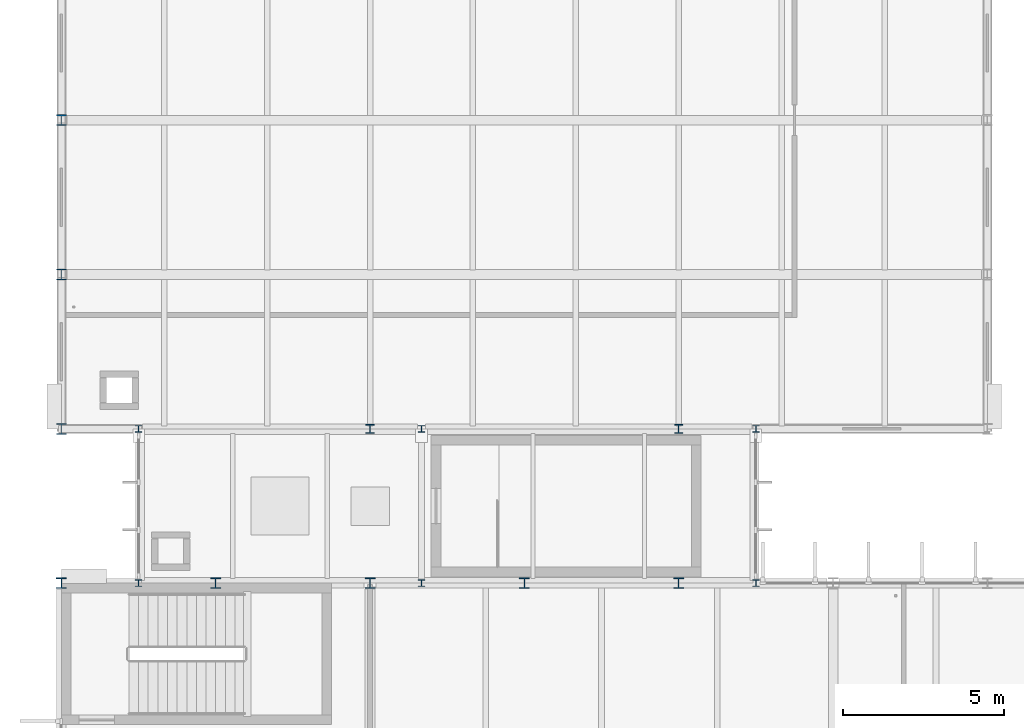
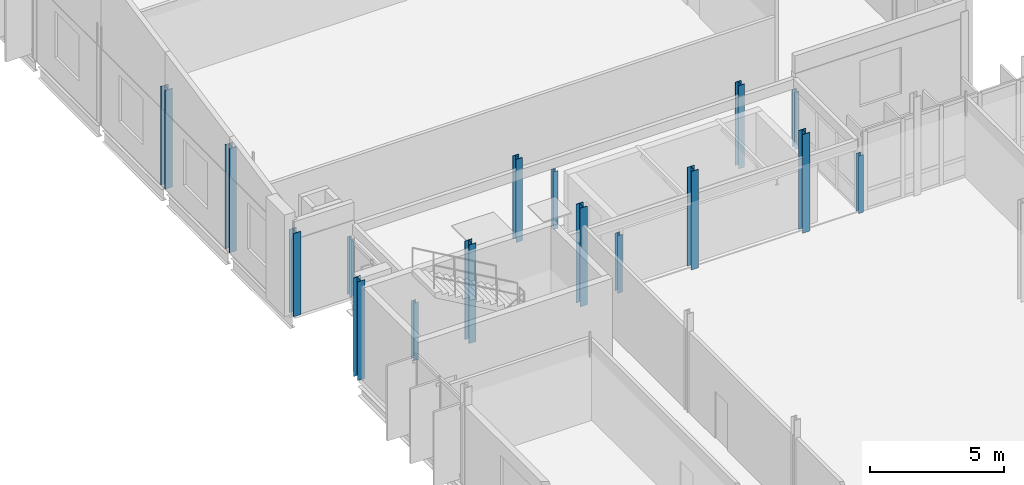
# One storey, part 3 of 93: 16 columns.
"""IFC4 building model written with IfcOpenShell, lengths in metres."""

from ifc_helpers import new_model, si_unit, direction, frame, origin, origin_2d, place, context, subcontext, project, spatial, i_section, extrude, material, material_profile, profile_set, type_object, element, save


model = new_model("IFC4")

# Units and contexts
model_context = context("Model", 3, precision=1e-05, world=origin(), true_north=direction((0.0, 1.0)))
body_context = subcontext(model_context, "Body", "Model", "MODEL_VIEW")
ifc_project = project(units=[si_unit("LENGTHUNIT", "METRE"), si_unit("AREAUNIT", "SQUARE_METRE"), si_unit("VOLUMEUNIT", "CUBIC_METRE"), si_unit("PLANEANGLEUNIT", "RADIAN"), si_unit("MASSUNIT", "GRAM", prefix="KILO")], contexts=[model_context])

# Site, building, storey
site_placement = place(None, origin())
site = spatial("IfcSite", under=ifc_project, at=site_placement, CompositionType="ELEMENT")
building_placement = place(site_placement, origin())
building = spatial("IfcBuilding", under=site, at=building_placement, Name="Dunescarp Central Library", CompositionType="ELEMENT")
storey_placement = place(building_placement, frame((0.0, 0.0, 14.10009765625)))
storey = spatial("IfcBuildingStorey", under=building, at=storey_placement, Name="L03", CompositionType="ELEMENT", Elevation=14.10009765625)

# Columns
ifc_material = material(Name="Steel S355JR", Category="steel")
ifc_material_profile_1 = material_profile(ifc_material, i_section(OverallWidth=0.20361328125, OverallDepth=0.203125, WebThickness=0.007080078125, FlangeThickness=0.010986328125, at=origin_2d()), Name="UC 203x203x46")
ifc_profile_set_1 = profile_set([ifc_material_profile_1], Name="Steel S355JR")
column_type_1 = type_object("IfcColumnType", Name="STR-COL-UC203X46", PredefinedType="COLUMN", material=ifc_profile_set_1)
for number, where, z_axis, x_axis, name in (
    (1, (2.39990234375, 36.800048828125, 0.0), (0.0, 0.0, 1.0), (1.0, 0.0, 0.0), "L03 column GL4-24-368"),
    (2, (2.39990234375, 41.60009765625, 0.0), (0.0, 0.0, 1.0), (1.0, 0.0, 0.0), "L03 column GL4-24-416"),
    (3, (11.199951171875, 36.800048828125, 0.0), (0.0, 0.0, 1.0), (1.0, 0.0, 0.0), "L03 column GL4-112-368"),
    (4, (11.199951171875, 41.60009765625, 0.0), (0.0, 0.0, 1.0), (1.0, 0.0, 0.0), "L03 column GL4-112-416"),
    (5, (21.60009765625, 36.800048828125, 0.0), (0.0, 0.0, 1.0), (1.0, 0.0, 0.0), "L03 column GL4-216-368"),
    (6, (21.60009765625, 41.60009765625, 0.0), (0.0, 0.0, 1.0), (1.0, 0.0, 0.0), "L03 column GL4-216-416"),
):
    element("IfcColumn", number, at=place(storey_placement, frame(where, z_axis=z_axis, x_axis=x_axis)), inside=storey, type_object=column_type_1, Name=name, PredefinedType="COLUMN", context=body_context, shape_type="SweptSolid", body=[
        extrude(i_section(OverallWidth=0.20361328125, OverallDepth=0.203125, WebThickness=0.007080078125, FlangeThickness=0.010986328125, at=origin_2d()), origin(), (0.0, 0.0, 1.0), 2.6298828125),
    ])
ifc_material_profile_2 = material_profile(ifc_material, i_section(OverallWidth=0.26123046875, OverallDepth=0.2763671875, WebThickness=0.015380859375, FlangeThickness=0.025390625, at=origin_2d()), Name="UC 254x254x132")
ifc_profile_set_2 = profile_set([ifc_material_profile_2], Name="Steel S355JR")
column_type_2 = type_object("IfcColumnType", Name="STR-COL-UC254X132", PredefinedType="COLUMN", material=ifc_profile_set_2)
for number, where, z_axis, x_axis, name in (
    (7, (9.60009765625, 41.60009765625, 0.0), (0.0, 0.0, 1.0), (1.0, 0.0, 0.0), "L03 column V4B-96-416"),
    (8, (19.199951171875, 41.60009765625, 0.0), (0.0, 0.0, 1.0), (1.0, 0.0, 0.0), "L03 column V4B-192-416"),
):
    element("IfcColumn", number, at=place(storey_placement, frame(where, z_axis=z_axis, x_axis=x_axis)), inside=storey, type_object=column_type_2, Name=name, PredefinedType="COLUMN", context=body_context, shape_type="SweptSolid", body=[
        extrude(i_section(OverallWidth=0.26123046875, OverallDepth=0.2763671875, WebThickness=0.015380859375, FlangeThickness=0.025390625, at=origin_2d()), origin(), (0.0, 0.0, 1.0), 3.7958984375),
    ])
ifc_material_profile_3 = material_profile(ifc_material, i_section(OverallWidth=0.311279296875, OverallDepth=0.3271484375, WebThickness=0.015869140625, FlangeThickness=0.02490234375, at=origin_2d()), Name="UC 305x305x158")
ifc_profile_set_3 = profile_set([ifc_material_profile_3], Name="Steel S355JR")
column_type_3 = type_object("IfcColumnType", Name="STR-COL-UC305X158", PredefinedType="COLUMN", material=ifc_profile_set_3)
for number, where, z_axis, x_axis, name in (
    (9, (0.0, 36.800048828125, 0.0), (0.0, 0.0, 1.0), (1.0, 0.0, 0.0), "L03 column V1P-0-368"),
    (10, (4.800048828125, 36.800048828125, 0.0), (0.0, 0.0, 1.0), (1.0, 0.0, 0.0), "L03 column V1P-48-368"),
    (11, (9.60009765625, 36.800048828125, 0.0), (0.0, 0.0, 1.0), (1.0, 0.0, 0.0), "L03 column V1P-96-368"),
    (12, (14.39990234375, 36.800048828125, 0.0), (0.0, 0.0, 1.0), (1.0, 0.0, 0.0), "L03 column V1P-144-368"),
    (13, (19.199951171875, 36.800048828125, 0.0), (0.0, 0.0, 1.0), (1.0, 0.0, 0.0), "L03 column V1P-192-368"),
):
    element("IfcColumn", number, at=place(storey_placement, frame(where, z_axis=z_axis, x_axis=x_axis)), inside=storey, type_object=column_type_3, Name=name, PredefinedType="COLUMN", context=body_context, shape_type="SweptSolid", body=[
        extrude(i_section(OverallWidth=0.311279296875, OverallDepth=0.3271484375, WebThickness=0.015869140625, FlangeThickness=0.02490234375, at=origin_2d()), origin(), (0.0, 0.0, 1.0), 4.5),
    ])
ifc_material_profile_4 = material_profile(ifc_material, i_section(OverallWidth=0.314453125, OverallDepth=0.33984375, WebThickness=0.01904296875, FlangeThickness=0.031494140625, at=origin_2d()), Name="UC 305x305x198")
ifc_profile_set_4 = profile_set([ifc_material_profile_4], Name="Steel S355JR")
column_type_4 = type_object("IfcColumnType", Name="STR-COL-UC305X198", PredefinedType="COLUMN", material=ifc_profile_set_4)
column_1_placement = place(storey_placement, frame((0.0, 41.60009765625, 0.0), z_axis=(0.0, 0.0, 1.0), x_axis=(1.0, 0.0, 0.0)))
element("IfcColumn", 14, at=column_1_placement, inside=storey, type_object=column_type_4, Name="L03 column V4A-0-416", PredefinedType="COLUMN", context=body_context, shape_type="SweptSolid", body=[
    extrude(i_section(OverallWidth=0.314453125, OverallDepth=0.33984375, WebThickness=0.01904296875, FlangeThickness=0.031494140625, at=origin_2d()), origin(), (0.0, 0.0, 1.0), 3.7958984375),
])
column_2_placement = place(storey_placement, frame((0.0, 46.39990234375, 0.0), z_axis=(0.0, 0.0, 1.0), x_axis=(1.0, 0.0, 0.0)))
element("IfcColumn", 15, at=column_2_placement, inside=storey, type_object=column_type_4, Name="L03 column V4A-0-464", PredefinedType="COLUMN", context=body_context, shape_type="SweptSolid", body=[
    extrude(i_section(OverallWidth=0.314453125, OverallDepth=0.33984375, WebThickness=0.01904296875, FlangeThickness=0.031494140625, at=origin_2d()), origin(), (0.0, 0.0, 1.0), 4.755859375),
])
column_3_placement = place(storey_placement, frame((0.0, 51.199951171875, 0.0), z_axis=(0.0, 0.0, 1.0), x_axis=(1.0, 0.0, 0.0)))
element("IfcColumn", 16, at=column_3_placement, inside=storey, type_object=column_type_4, Name="L03 column V4A-0-512", PredefinedType="COLUMN", context=body_context, shape_type="SweptSolid", body=[
    extrude(i_section(OverallWidth=0.314453125, OverallDepth=0.33984375, WebThickness=0.01904296875, FlangeThickness=0.031494140625, at=origin_2d()), origin(), (0.0, 0.0, 1.0), 4.5),
])

save(model, "model.ifc")
